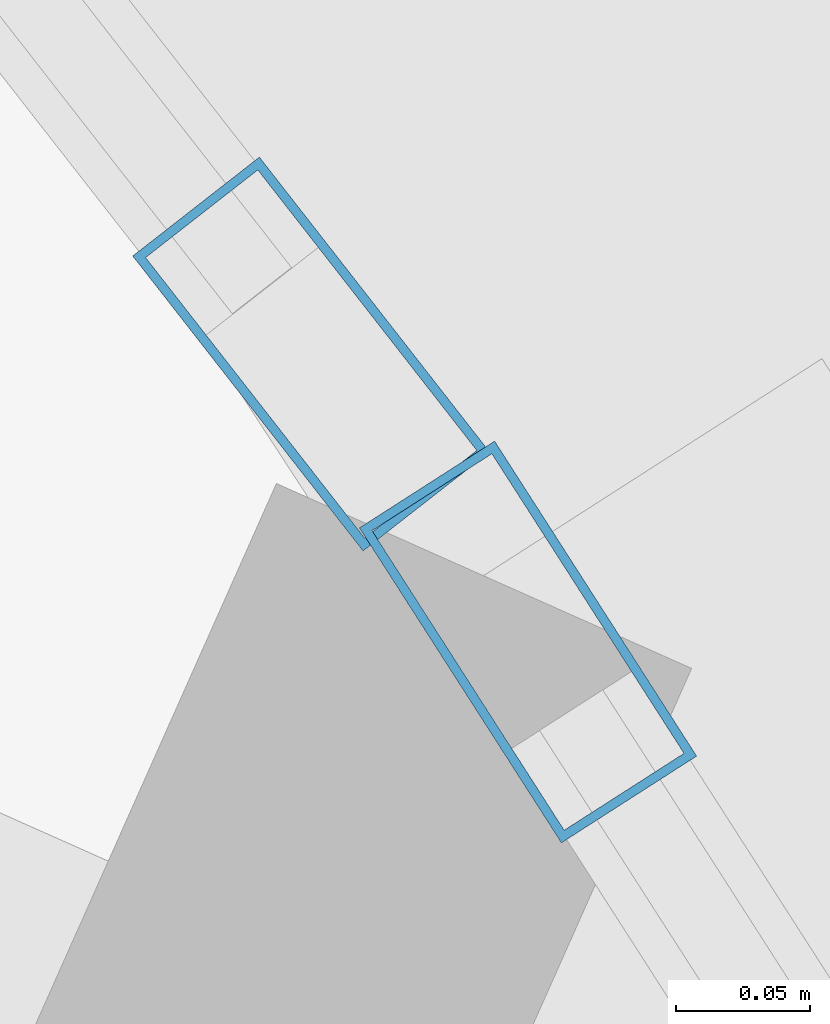
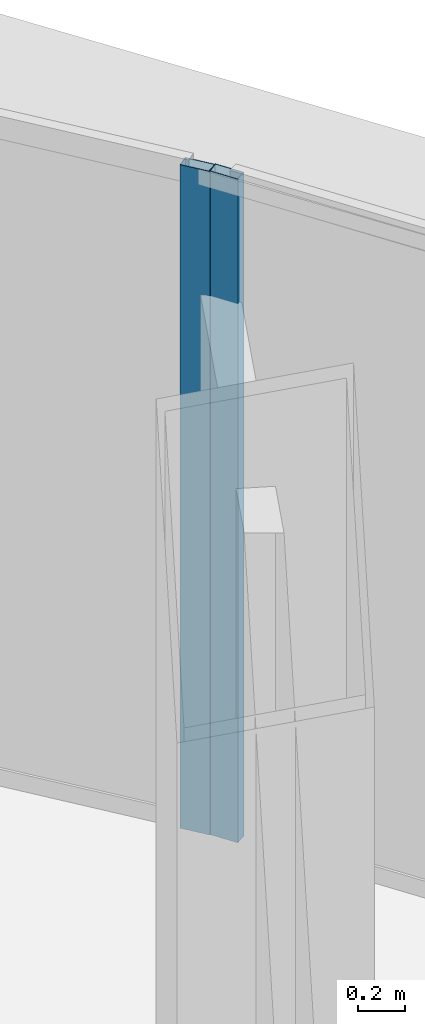
# One storey, part 26 of 37: 2 members, 2 elements without a shape of their own.
"""IFC4 building model written with IfcOpenShell, lengths in metres."""

from ifc_helpers import new_model, si_unit, direction, frame, origin, origin_2d, place, context, subcontext, project, spatial, hollow_rectangle, extrude, source, transform, mapped, material, layer, layer_set, material_profile, profile_set, type_object, element, aggregate, save


model = new_model("IFC4")

# Units and contexts
model_context = context("Model", 3, precision=1e-05, world=origin(), true_north=direction((0.0, 1.0)))
body_context = subcontext(model_context, "Body", "Model", "MODEL_VIEW")
ifc_project = project(units=[si_unit("LENGTHUNIT", "METRE"), si_unit("AREAUNIT", "SQUARE_METRE"), si_unit("VOLUMEUNIT", "CUBIC_METRE"), si_unit("PLANEANGLEUNIT", "RADIAN"), si_unit("MASSUNIT", "GRAM", prefix="KILO"), si_unit("THERMODYNAMICTEMPERATUREUNIT", "KELVIN"), si_unit("POWERUNIT", "WATT")], contexts=[model_context])

# Site, building, storey
site_placement = place(None, origin())
site = spatial("IfcSite", under=ifc_project, at=site_placement, CompositionType="ELEMENT")
building_placement = place(site_placement, origin())
building = spatial("IfcBuilding", under=site, at=building_placement, Name="Yunzhuo Pagoda Commons", CompositionType="ELEMENT")
storey_placement = place(building_placement, frame((0.0, 0.0, 259.449951171875)))
storey = spatial("IfcBuildingStorey", under=building, at=storey_placement, Name="L65", CompositionType="ELEMENT", Elevation=259.449951171875)

# Curtain wall, member
ifc_material = material(Name="Anodized aluminium 6063-T6", Category="aluminium")
ifc_layer = layer(ifc_material, 0.139892578125)
ifc_layer_set = layer_set([ifc_layer], Name="Anodized aluminium 6063-T6")
curtain_wall_type = type_object("IfcCurtainWallType", Name="CW-HI High-Zone Ribbon Curtain Wall", PredefinedType="NOTDEFINED", material=ifc_layer_set)
curtain_wall_1_placement = place(storey_placement, origin())
curtain_wall_1 = element("IfcCurtainWall", 1, at=curtain_wall_1_placement, inside=storey, type_object=curtain_wall_type, Name="L65 curtain wall CW-L65-F2B4", PredefinedType="NOTDEFINED")
ifc_material_profile = material_profile(ifc_material, hollow_rectangle(XDim=0.06005859375, YDim=0.139892578125, WallThickness=0.00341796875, at=origin_2d()), Name="Anodized aluminium 6063-T6")
ifc_profile_set = profile_set([ifc_material_profile], Name="Anodized aluminium 6063-T6")
member_type = type_object("IfcMemberType", Name="CW-HI-M Mullion RHS 140x60x3.5", PredefinedType="MULLION", material=ifc_profile_set)
shared_shape = source(origin(), body_context, "Body", "SweptSolid", [
    extrude(hollow_rectangle(XDim=0.06005859375, YDim=0.139892578125, WallThickness=0.00341796875, at=origin_2d()), origin(), (0.0, 0.0, 1.0), 3.469970703125),
])
member_1_placement = place(storey_placement, frame((62.173095703125, 65.4716796875, 0.0), z_axis=(0.0, 0.0, 1.0), x_axis=(-0.841750083847, -0.539867387738, 0.0)))
member_1 = element("IfcMember", 2, at=member_1_placement, type_object=member_type, Name="CW mullion 2", PredefinedType="MULLION", context=body_context, shape_type="MappedRepresentation", body=[
    mapped(shared_shape, transform((0.0, 0.0, 0.0), scale=1.0)),
])
aggregate(curtain_wall_1, [member_1])

curtain_wall_2_placement = place(storey_placement, origin())
curtain_wall_2 = element("IfcCurtainWall", 3, at=curtain_wall_2_placement, inside=storey, type_object=curtain_wall_type, Name="L65 curtain wall CW-L65-F2B5", PredefinedType="NOTDEFINED")
member_2_placement = place(storey_placement, frame((62.092041015625, 65.579345703125, 0.0), z_axis=(0.0, 0.0, 1.0), x_axis=(-0.788189580024, -0.615432519405, 0.0)))
member_2 = element("IfcMember", 4, at=member_2_placement, type_object=member_type, Name="CW mullion 1", PredefinedType="MULLION", context=body_context, shape_type="MappedRepresentation", body=[
    mapped(shared_shape, transform((0.0, 0.0, 0.0), scale=1.0)),
])
aggregate(curtain_wall_2, [member_2])

save(model, "model.ifc")
